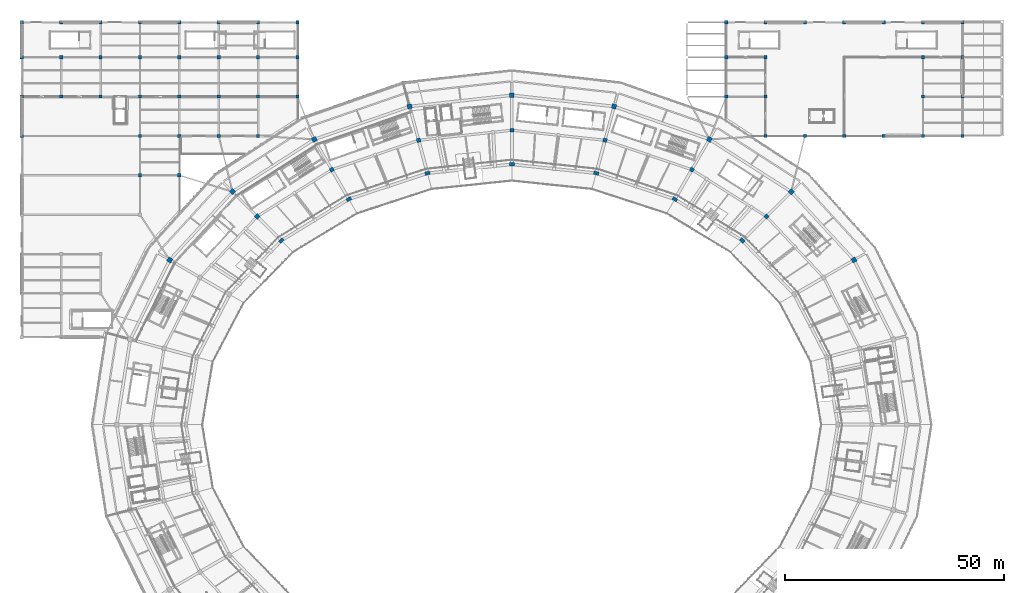
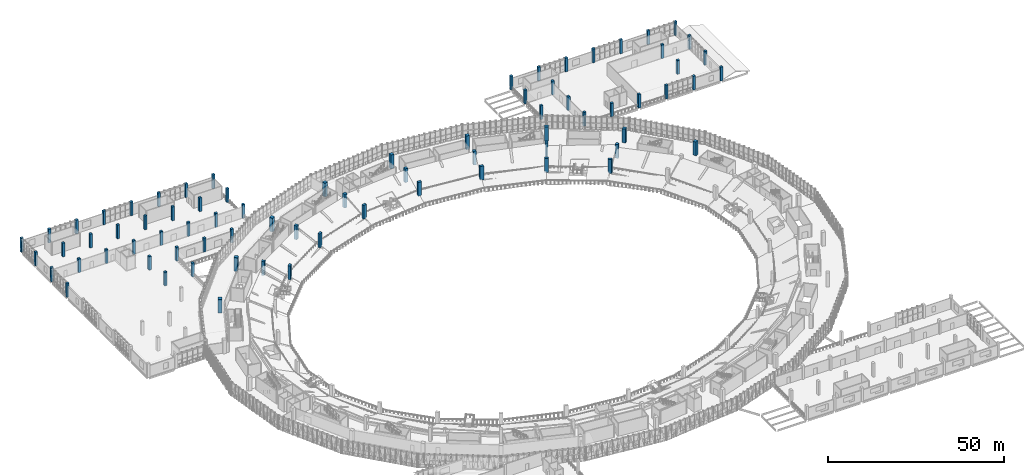
# One storey, part 2 of 152: 75 columns.
"""IFC4 building model written with IfcOpenShell, lengths in metres."""

from ifc_helpers import new_model, si_unit, direction, frame, origin, origin_2d, place, context, subcontext, project, spatial, rectangle, extrude, material, material_profile, profile_set, type_object, element, save


model = new_model("IFC4")

# Units and contexts
model_context = context("Model", 3, precision=1e-05, world=origin(), true_north=direction((0.0, 1.0)))
body_context = subcontext(model_context, "Body", "Model", "MODEL_VIEW")
ifc_project = project(units=[si_unit("LENGTHUNIT", "METRE"), si_unit("AREAUNIT", "SQUARE_METRE"), si_unit("VOLUMEUNIT", "CUBIC_METRE"), si_unit("PLANEANGLEUNIT", "RADIAN"), si_unit("MASSUNIT", "GRAM", prefix="KILO")], contexts=[model_context])

# Site, building, storey
site_placement = place(None, origin())
site = spatial("IfcSite", under=ifc_project, at=site_placement, CompositionType="ELEMENT")
building_placement = place(site_placement, origin())
building = spatial("IfcBuilding", under=site, at=building_placement, Name="Zevraka Park Crest Stadium", CompositionType="ELEMENT")
storey_placement = place(building_placement, frame((0.0, 0.0, 15.0)))
storey = spatial("IfcBuildingStorey", under=building, at=storey_placement, Name="L03", CompositionType="ELEMENT", Elevation=15.0)

# Columns
ifc_material_1 = material(Name="Concrete C40/50", Category="concrete")
ifc_material_profile_1 = material_profile(ifc_material_1, rectangle(XDim=1.050048828125, YDim=1.050048828125, at=origin_2d()), Name="RC 1050x1050")
ifc_profile_set_1 = profile_set([ifc_material_profile_1], Name="Concrete C40/50")
column_type_1 = type_object("IfcColumnType", Name="C03", PredefinedType="COLUMN", material=ifc_profile_set_1)
for number, where, z_axis, x_axis, name in (
    (1, (190.201904296875, 129.64990234375, 0.0), (0.0, 0.0, 1.0), (0.866025403784, 0.5, 0.0), "Perimeter Ring Column C03 L03-D-02"),
    (2, (175.85205078125, 145.2451171875, 0.0), (0.0, 0.0, 1.0), (0.707106781187, 0.707106781187, 0.0), "Perimeter Ring Column C03 L03-D-03"),
    (3, (157.14990234375, 157.2119140625, 0.0), (0.0, 0.0, 1.0), (0.5, 0.866025403784, 0.0), "Perimeter Ring Column C03 L03-D-04"),
    (4, (135.37109375, 164.73388671875, 0.0), (0.0, 0.0, 1.0), (0.258819045103, 0.965925826289, 0.0), "Perimeter Ring Column C03 L03-D-05"),
    (5, (112.0, 167.300048828125, 0.0), (0.0, 0.0, 1.0), (0.0, 1.0, 0.0), "Perimeter Ring Column C03 L03-D-06"),
    (6, (88.62890625, 164.73388671875, 0.0), (0.0, 0.0, 1.0), (-0.258819045103, 0.965925826289, 0.0), "Perimeter Ring Column C03 L03-D-07"),
    (7, (66.85009765625, 157.2119140625, 0.0), (0.0, 0.0, 1.0), (-0.5, 0.866025403784, 0.0), "Perimeter Ring Column C03 L03-D-08"),
    (8, (48.14794921875, 145.2451171875, 0.0), (0.0, 0.0, 1.0), (-0.707106781187, 0.707106781187, 0.0), "Perimeter Ring Column C03 L03-D-09"),
    (9, (33.798095703125, 129.64990234375, 0.0), (0.0, 0.0, 1.0), (-0.866025403784, 0.5, 0.0), "Perimeter Ring Column C03 L03-D-10"),
):
    element("IfcColumn", number, at=place(storey_placement, frame(where, z_axis=z_axis, x_axis=x_axis)), inside=storey, type_object=column_type_1, Name=name, PredefinedType="COLUMN", context=body_context, shape_type="SweptSolid", body=[
        extrude(rectangle(XDim=1.050048828125, YDim=1.050048828125, at=origin_2d()), origin(), (0.0, 0.0, 1.0), 4.800048828125),
    ])
ifc_material_2 = material(Name="Concrete C40/50", Category="concrete")
ifc_material_profile_2 = material_profile(ifc_material_2, rectangle(XDim=0.89990234375, YDim=0.89990234375, at=origin_2d()), Name="RC 900x900")
ifc_profile_set_2 = profile_set([ifc_material_profile_2], Name="Concrete C40/50")
column_type_2 = type_object("IfcColumnType", Name="C04", PredefinedType="COLUMN", material=ifc_profile_set_2)
for number, where, z_axis, x_axis, name in (
    (10, (170.195068359375, 139.587890625, 0.0), (0.0, 0.0, 1.0), (0.707106781187, 0.707106781187, 0.0), "Concourse Mid Column C04 L03-C-03"),
    (11, (153.14990234375, 150.283935546875, 0.0), (0.0, 0.0, 1.0), (0.5, 0.866025403784, 0.0), "Concourse Mid Column C04 L03-C-04"),
    (12, (133.301025390625, 157.007080078125, 0.0), (0.0, 0.0, 1.0), (0.258819045103, 0.965925826289, 0.0), "Concourse Mid Column C04 L03-C-05"),
    (13, (112.0, 159.300048828125, 0.0), (0.0, 0.0, 1.0), (0.0, 1.0, 0.0), "Concourse Mid Column C04 L03-C-06"),
    (14, (90.698974609375, 157.007080078125, 0.0), (0.0, 0.0, 1.0), (-0.258819045103, 0.965925826289, 0.0), "Concourse Mid Column C04 L03-C-07"),
    (15, (70.85009765625, 150.283935546875, 0.0), (0.0, 0.0, 1.0), (-0.5, 0.866025403784, 0.0), "Concourse Mid Column C04 L03-C-08"),
    (16, (53.804931640625, 139.587890625, 0.0), (0.0, 0.0, 1.0), (-0.707106781187, 0.707106781187, 0.0), "Concourse Mid Column C04 L03-C-09"),
):
    element("IfcColumn", number, at=place(storey_placement, frame(where, z_axis=z_axis, x_axis=x_axis)), inside=storey, type_object=column_type_2, Name=name, PredefinedType="COLUMN", context=body_context, shape_type="SweptSolid", body=[
        extrude(rectangle(XDim=0.89990234375, YDim=0.89990234375, at=origin_2d()), origin(), (0.0, 0.0, 1.0), 4.800048828125),
    ])
ifc_material_3 = material(Name="Concrete C40/50", Category="concrete")
ifc_material_profile_3 = material_profile(ifc_material_3, rectangle(XDim=0.75, YDim=0.75, at=origin_2d()), Name="RC 750x750")
ifc_profile_set_3 = profile_set([ifc_material_profile_3], Name="Concrete C40/50")
column_type_3 = type_object("IfcColumnType", Name="C05", PredefinedType="COLUMN", material=ifc_profile_set_3)
for number, where, z_axis, x_axis, name in (
    (17, (161.0, 167.0, 0.0), (0.0, 0.0, 1.0), (1.0, 0.0, 0.0), "Wing Column C05 L03-18/U"),
    (18, (161.0, 176.0, 0.0), (0.0, 0.0, 1.0), (1.0, 0.0, 0.0), "Wing Column C05 L03-18/V"),
    (19, (161.0, 184.0, 0.0), (0.0, 0.0, 1.0), (1.0, 0.0, 0.0), "Wing Column C05 L03-18/W"),
    (20, (170.0, 158.0, 0.0), (0.0, 0.0, 1.0), (1.0, 0.0, 0.0), "Wing Column C05 L03-19/T"),
    (21, (170.0, 167.0, 0.0), (0.0, 0.0, 1.0), (1.0, 0.0, 0.0), "Wing Column C05 L03-19/U"),
    (22, (170.0, 176.0, 0.0), (0.0, 0.0, 1.0), (1.0, 0.0, 0.0), "Wing Column C05 L03-19/V"),
    (23, (170.0, 184.0, 0.0), (0.0, 0.0, 1.0), (1.0, 0.0, 0.0), "Wing Column C05 L03-19/W"),
    (24, (179.0, 158.0, 0.0), (0.0, 0.0, 1.0), (1.0, 0.0, 0.0), "Wing Column C05 L03-20/T"),
    (25, (179.0, 184.0, 0.0), (0.0, 0.0, 1.0), (1.0, 0.0, 0.0), "Wing Column C05 L03-20/W"),
    (26, (188.0, 158.0, 0.0), (0.0, 0.0, 1.0), (1.0, 0.0, 0.0), "Wing Column C05 L03-21/T"),
    (27, (188.0, 184.0, 0.0), (0.0, 0.0, 1.0), (1.0, 0.0, 0.0), "Wing Column C05 L03-21/W"),
    (28, (197.0, 158.0, 0.0), (0.0, 0.0, 1.0), (1.0, 0.0, 0.0), "Wing Column C05 L03-22/T"),
    (29, (197.0, 184.0, 0.0), (0.0, 0.0, 1.0), (1.0, 0.0, 0.0), "Wing Column C05 L03-22/W"),
    (30, (206.0, 158.0, 0.0), (0.0, 0.0, 1.0), (1.0, 0.0, 0.0), "Wing Column C05 L03-23/T"),
    (31, (206.0, 167.0, 0.0), (0.0, 0.0, 1.0), (1.0, 0.0, 0.0), "Wing Column C05 L03-23/U"),
    (32, (206.0, 176.0, 0.0), (0.0, 0.0, 1.0), (1.0, 0.0, 0.0), "Wing Column C05 L03-23/V"),
    (33, (206.0, 184.0, 0.0), (0.0, 0.0, 1.0), (1.0, 0.0, 0.0), "Wing Column C05 L03-23/W"),
    (34, (215.0, 158.0, 0.0), (0.0, 0.0, 1.0), (1.0, 0.0, 0.0), "Wing Column C05 L03-24/T"),
    (35, (215.0, 167.0, 0.0), (0.0, 0.0, 1.0), (1.0, 0.0, 0.0), "Wing Column C05 L03-24/U"),
    (36, (215.0, 176.0, 0.0), (0.0, 0.0, 1.0), (1.0, 0.0, 0.0), "Wing Column C05 L03-24/V"),
    (37, (215.0, 184.0, 0.0), (0.0, 0.0, 1.0), (1.0, 0.0, 0.0), "Wing Column C05 L03-24/W"),
    (38, (0.0, 158.0, 0.0), (0.0, 0.0, 1.0), (1.0, 0.0, 0.0), "Wing Column C05 L03-1/T"),
    (39, (0.0, 167.0, 0.0), (0.0, 0.0, 1.0), (1.0, 0.0, 0.0), "Wing Column C05 L03-1/U"),
    (40, (0.0, 176.0, 0.0), (0.0, 0.0, 1.0), (1.0, 0.0, 0.0), "Wing Column C05 L03-1/V"),
    (41, (0.0, 184.0, 0.0), (0.0, 0.0, 1.0), (1.0, 0.0, 0.0), "Wing Column C05 L03-1/W"),
    (42, (9.0, 167.0, 0.0), (0.0, 0.0, 1.0), (1.0, 0.0, 0.0), "Wing Column C05 L03-2/U"),
    (43, (9.0, 176.0, 0.0), (0.0, 0.0, 1.0), (1.0, 0.0, 0.0), "Wing Column C05 L03-2/V"),
    (44, (9.0, 184.0, 0.0), (0.0, 0.0, 1.0), (1.0, 0.0, 0.0), "Wing Column C05 L03-2/W"),
    (45, (18.0, 167.0, 0.0), (0.0, 0.0, 1.0), (1.0, 0.0, 0.0), "Wing Column C05 L03-3/U"),
    (46, (18.0, 176.0, 0.0), (0.0, 0.0, 1.0), (1.0, 0.0, 0.0), "Wing Column C05 L03-3/V"),
    (47, (18.0, 184.0, 0.0), (0.0, 0.0, 1.0), (1.0, 0.0, 0.0), "Wing Column C05 L03-3/W"),
    (48, (27.0, 149.0, 0.0), (0.0, 0.0, 1.0), (1.0, 0.0, 0.0), "Wing Column C05 L03-4/S"),
    (49, (27.0, 158.0, 0.0), (0.0, 0.0, 1.0), (1.0, 0.0, 0.0), "Wing Column C05 L03-4/T"),
    (50, (27.0, 167.0, 0.0), (0.0, 0.0, 1.0), (1.0, 0.0, 0.0), "Wing Column C05 L03-4/U"),
    (51, (27.0, 176.0, 0.0), (0.0, 0.0, 1.0), (1.0, 0.0, 0.0), "Wing Column C05 L03-4/V"),
    (52, (27.0, 184.0, 0.0), (0.0, 0.0, 1.0), (1.0, 0.0, 0.0), "Wing Column C05 L03-4/W"),
    (53, (36.0, 149.0, 0.0), (0.0, 0.0, 1.0), (1.0, 0.0, 0.0), "Wing Column C05 L03-5/S"),
    (54, (36.0, 158.0, 0.0), (0.0, 0.0, 1.0), (1.0, 0.0, 0.0), "Wing Column C05 L03-5/T"),
    (55, (36.0, 167.0, 0.0), (0.0, 0.0, 1.0), (1.0, 0.0, 0.0), "Wing Column C05 L03-5/U"),
    (56, (36.0, 176.0, 0.0), (0.0, 0.0, 1.0), (1.0, 0.0, 0.0), "Wing Column C05 L03-5/V"),
    (57, (36.0, 184.0, 0.0), (0.0, 0.0, 1.0), (1.0, 0.0, 0.0), "Wing Column C05 L03-5/W"),
    (58, (45.0, 158.0, 0.0), (0.0, 0.0, 1.0), (1.0, 0.0, 0.0), "Wing Column C05 L03-6/T"),
    (59, (45.0, 167.0, 0.0), (0.0, 0.0, 1.0), (1.0, 0.0, 0.0), "Wing Column C05 L03-6/U"),
    (60, (45.0, 176.0, 0.0), (0.0, 0.0, 1.0), (1.0, 0.0, 0.0), "Wing Column C05 L03-6/V"),
    (61, (45.0, 184.0, 0.0), (0.0, 0.0, 1.0), (1.0, 0.0, 0.0), "Wing Column C05 L03-6/W"),
    (62, (54.0, 158.0, 0.0), (0.0, 0.0, 1.0), (1.0, 0.0, 0.0), "Wing Column C05 L03-7/T"),
    (63, (54.0, 167.0, 0.0), (0.0, 0.0, 1.0), (1.0, 0.0, 0.0), "Wing Column C05 L03-7/U"),
    (64, (54.0, 176.0, 0.0), (0.0, 0.0, 1.0), (1.0, 0.0, 0.0), "Wing Column C05 L03-7/V"),
    (65, (54.0, 184.0, 0.0), (0.0, 0.0, 1.0), (1.0, 0.0, 0.0), "Wing Column C05 L03-7/W"),
    (66, (63.0, 167.0, 0.0), (0.0, 0.0, 1.0), (1.0, 0.0, 0.0), "Wing Column C05 L03-8/U"),
    (67, (63.0, 176.0, 0.0), (0.0, 0.0, 1.0), (1.0, 0.0, 0.0), "Wing Column C05 L03-8/V"),
    (68, (63.0, 184.0, 0.0), (0.0, 0.0, 1.0), (1.0, 0.0, 0.0), "Wing Column C05 L03-8/W"),
):
    element("IfcColumn", number, at=place(storey_placement, frame(where, z_axis=z_axis, x_axis=x_axis)), inside=storey, type_object=column_type_3, Name=name, PredefinedType="COLUMN", context=body_context, shape_type="SweptSolid", body=[
        extrude(rectangle(XDim=0.75, YDim=0.75, at=origin_2d()), origin(), (0.0, 0.0, 1.0), 4.800048828125),
    ])
ifc_material_4 = material(Name="Concrete C40/50", Category="concrete")
ifc_material_profile_4 = material_profile(ifc_material_4, rectangle(XDim=0.75, YDim=1.14990234375, at=origin_2d()), Name="RC 1150x750")
ifc_profile_set_4 = profile_set([ifc_material_profile_4], Name="Concrete C40/50")
column_type_4 = type_object("IfcColumnType", Name="C10", PredefinedType="COLUMN", material=ifc_profile_set_4)
for number, where, z_axis, x_axis, name in (
    (69, (164.678955078125, 134.072998046875, 0.0), (0.0, 0.0, 1.0), (0.707106781187, 0.707106781187, 0.0), "Bowl Main Column C10 L03-B-03"),
    (70, (149.25, 143.529052734375, 0.0), (0.0, 0.0, 1.0), (0.5, 0.866025403784, 0.0), "Bowl Main Column C10 L03-B-04"),
    (71, (131.281982421875, 149.472900390625, 0.0), (0.0, 0.0, 1.0), (0.258819045103, 0.965925826289, 0.0), "Bowl Main Column C10 L03-B-05"),
    (72, (112.0, 151.5, 0.0), (0.0, 0.0, 1.0), (0.0, 1.0, 0.0), "Bowl Main Column C10 L03-B-06"),
    (73, (92.718017578125, 149.472900390625, 0.0), (0.0, 0.0, 1.0), (-0.258819045103, 0.965925826289, 0.0), "Bowl Main Column C10 L03-B-07"),
    (74, (74.75, 143.529052734375, 0.0), (0.0, 0.0, 1.0), (-0.5, 0.866025403784, 0.0), "Bowl Main Column C10 L03-B-08"),
    (75, (59.321044921875, 134.072998046875, 0.0), (0.0, 0.0, 1.0), (-0.707106781187, 0.707106781187, 0.0), "Bowl Main Column C10 L03-B-09"),
):
    element("IfcColumn", number, at=place(storey_placement, frame(where, z_axis=z_axis, x_axis=x_axis)), inside=storey, type_object=column_type_4, Name=name, PredefinedType="COLUMN", context=body_context, shape_type="SweptSolid", body=[
        extrude(rectangle(XDim=0.75, YDim=1.14990234375, at=origin_2d()), origin(), (0.0, 0.0, 1.0), 4.800048828125),
    ])

save(model, "model.ifc")
